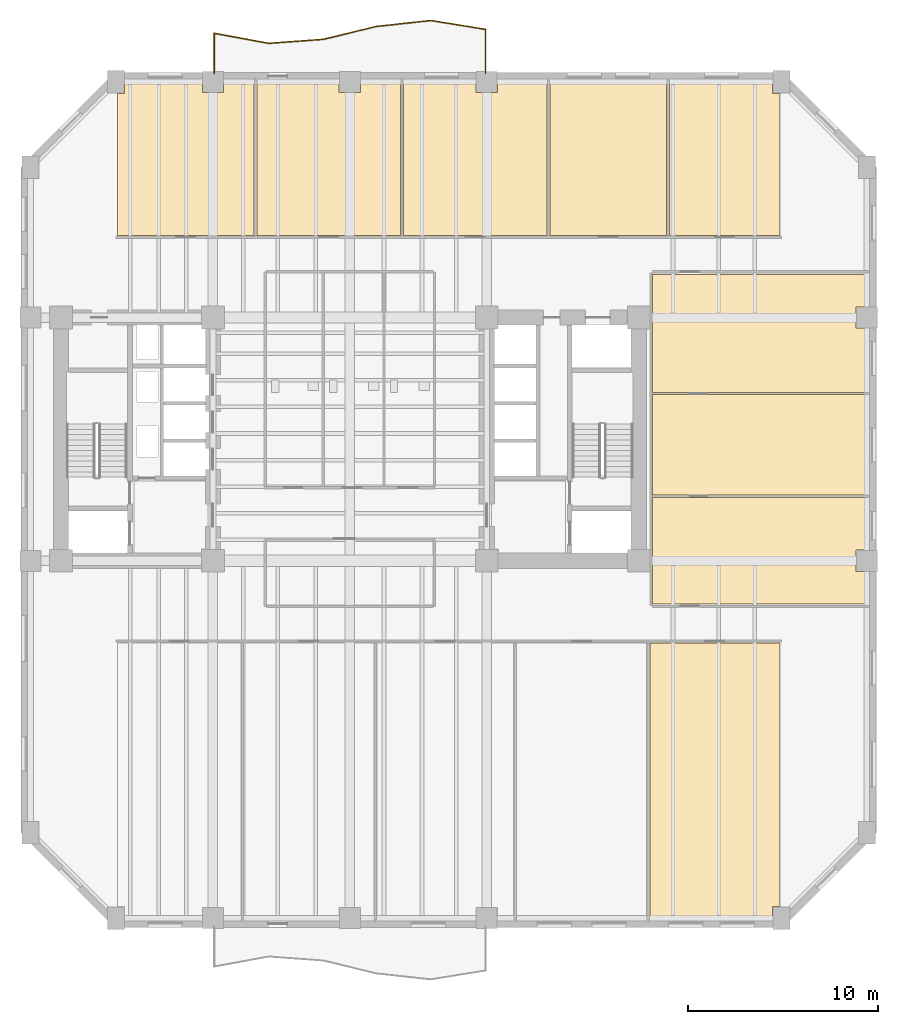
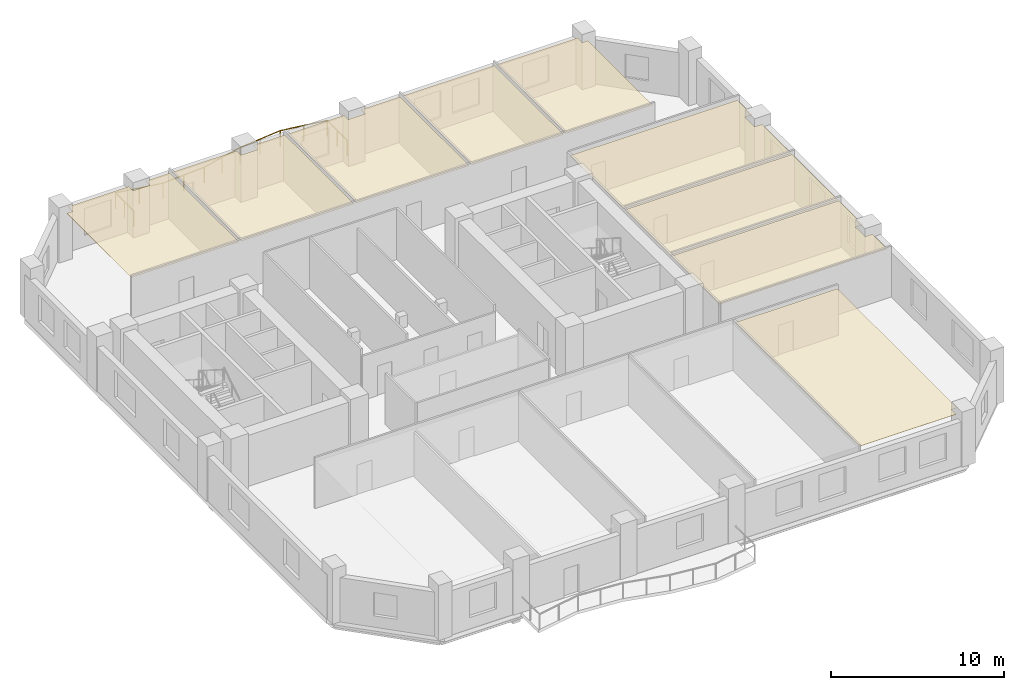
# One storey, part 8 of 9: 9 coverings, 1 railing.
"""IFC4 building model written with IfcOpenShell, lengths in metres."""

from ifc_helpers import new_model, si_unit, direction, frame, origin, origin_2d, place, context, subcontext, project, spatial, polyline, circle, outline, extrude, material, layer, layer_set, type_object, element, save


model = new_model("IFC4")

# Units and contexts
model_context = context("Model", 3, precision=1e-05, world=origin(), true_north=direction((0.0, 1.0)))
body_context = subcontext(model_context, "Body", "Model", "MODEL_VIEW")
ifc_project = project(units=[si_unit("LENGTHUNIT", "METRE"), si_unit("AREAUNIT", "SQUARE_METRE"), si_unit("VOLUMEUNIT", "CUBIC_METRE"), si_unit("PLANEANGLEUNIT", "RADIAN"), si_unit("MASSUNIT", "GRAM", prefix="KILO")], contexts=[model_context])

# Site, building, storey
site_placement = place(None, origin())
site = spatial("IfcSite", under=ifc_project, at=site_placement, CompositionType="ELEMENT")
building_placement = place(site_placement, origin())
building = spatial("IfcBuilding", under=site, at=building_placement, Name="Kranthara Brick Stack", CompositionType="ELEMENT")
storey_placement = place(building_placement, frame((0.0, 0.0, 59.39990234375)))
storey = spatial("IfcBuildingStorey", under=building, at=storey_placement, Name="L14", CompositionType="ELEMENT", Elevation=59.39990234375)

# Coverings
ifc_material_1 = material(Name="Perforated mineral-fibre acoustic ceiling tile", Category="other")
ifc_layer = layer(ifc_material_1, 0.02490234375)
ifc_layer_set = layer_set([ifc_layer], Name="Perforated mineral-fibre acoustic ceiling tile")
covering_type = type_object("IfcCoveringType", Name="COV-CEIL-ACOUSTIC", PredefinedType="CEILING", material=ifc_layer_set)
covering_1_placement = place(storey_placement, frame((0.0, 0.0, 3.330078125)))
element("IfcCovering", 1, at=covering_1_placement, inside=storey, type_object=covering_type, Name="L14 L14 Focus Study Room 5 Acoustic Ceiling", PredefinedType="CEILING", context=body_context, shape_type="SweptSolid", body=[
    extrude(outline(polyline([(43.780029296875, 2.070068359375), (43.780029296875, 16.47998046875), (50.6201171875, 16.47998046875), (50.6201171875, 2.610107421875), (50.239990234375, 2.610107421875), (50.239990234375, 2.070068359375), (43.780029296875, 2.070068359375)])), origin(), (0.0, 0.0, 1.0), 0.02490234375),
])
covering_2_placement = place(storey_placement, frame((0.0, 0.0, 3.330078125)))
element("IfcCovering", 2, at=covering_2_placement, inside=storey, type_object=covering_type, Name="L14 L14 Meeting Room 1 Acoustic Ceiling", PredefinedType="CEILING", context=body_context, shape_type="SweptSolid", body=[
    extrude(outline(polyline([(22.969970703125, 37.919921875), (15.780029296875, 37.919921875), (15.780029296875, 45.389892578125), (16.159912109375, 45.389892578125), (16.159912109375, 45.929931640625), (20.239990234375, 45.929931640625), (20.239990234375, 45.43994140625), (21.360107421875, 45.43994140625), (21.360107421875, 45.929931640625), (22.969970703125, 45.929931640625), (22.969970703125, 37.919921875)])), origin(), (0.0, 0.0, 1.0), 0.02490234375),
])
covering_3_placement = place(storey_placement, frame((0.0, 0.0, 3.330078125)))
element("IfcCovering", 3, at=covering_3_placement, inside=storey, type_object=covering_type, Name="L14 L14 Meeting Room 2 Acoustic Ceiling", PredefinedType="CEILING", context=body_context, shape_type="SweptSolid", body=[
    extrude(outline(polyline([(30.669921875, 45.929931640625), (30.669921875, 37.919921875), (23.1298828125, 37.919921875), (23.1298828125, 45.929931640625), (27.43994140625, 45.929931640625), (27.43994140625, 45.43994140625), (28.56005859375, 45.43994140625), (28.56005859375, 45.929931640625), (30.669921875, 45.929931640625)])), origin(), (0.0, 0.0, 1.0), 0.02490234375),
])
covering_4_placement = place(storey_placement, frame((0.0, 0.0, 3.330078125)))
element("IfcCovering", 4, at=covering_4_placement, inside=storey, type_object=covering_type, Name="L14 L14 Meeting Room 3 Acoustic Ceiling", PredefinedType="CEILING", context=body_context, shape_type="SweptSolid", body=[
    extrude(outline(polyline([(38.3701171875, 45.929931640625), (38.3701171875, 37.919921875), (30.830078125, 37.919921875), (30.830078125, 45.929931640625), (34.639892578125, 45.929931640625), (34.639892578125, 45.43994140625), (35.760009765625, 45.43994140625), (35.760009765625, 45.929931640625), (38.3701171875, 45.929931640625)])), origin(), (0.0, 0.0, 1.0), 0.02490234375),
])
covering_5_placement = place(storey_placement, frame((0.0, 0.0, 3.330078125)))
element("IfcCovering", 5, at=covering_5_placement, inside=storey, type_object=covering_type, Name="L14 L14 Boardroom 4 Acoustic Ceiling", PredefinedType="CEILING", context=body_context, shape_type="SweptSolid", body=[
    extrude(outline(polyline([(44.669921875, 37.919921875), (44.669921875, 45.929931640625), (38.530029296875, 45.929931640625), (38.530029296875, 37.919921875), (44.669921875, 37.919921875)])), origin(), (0.0, 0.0, 1.0), 0.02490234375),
])
covering_6_placement = place(storey_placement, frame((0.0, 0.0, 3.330078125)))
element("IfcCovering", 6, at=covering_6_placement, inside=storey, type_object=covering_type, Name="L14 L14 Staff Pantry 5 Acoustic Ceiling", PredefinedType="CEILING", context=body_context, shape_type="SweptSolid", body=[
    extrude(outline(polyline([(50.6201171875, 37.919921875), (44.830078125, 37.919921875), (44.830078125, 45.929931640625), (50.239990234375, 45.929931640625), (50.239990234375, 45.389892578125), (50.6201171875, 45.389892578125), (50.6201171875, 37.919921875)])), origin(), (0.0, 0.0, 1.0), 0.02490234375),
])
covering_7_placement = place(storey_placement, frame((0.0, 0.0, 3.330078125)))
element("IfcCovering", 7, at=covering_7_placement, inside=storey, type_object=covering_type, Name="L14 L14 East Client Office 1 Acoustic Ceiling", PredefinedType="CEILING", context=body_context, shape_type="SweptSolid", body=[
    extrude(outline(polyline([(55.1298828125, 18.5400390625), (43.919921875, 18.5400390625), (43.919921875, 24.139892578125), (55.1298828125, 24.139892578125), (55.1298828125, 21.360107421875), (54.639892578125, 21.360107421875), (54.639892578125, 20.239990234375), (55.1298828125, 20.239990234375), (55.1298828125, 18.5400390625)])), origin(), (0.0, 0.0, 1.0), 0.02490234375),
])
covering_8_placement = place(storey_placement, frame((0.0, 0.0, 3.330078125)))
element("IfcCovering", 8, at=covering_8_placement, inside=storey, type_object=covering_type, Name="L14 L14 East Client Office 2 Acoustic Ceiling", PredefinedType="CEILING", context=body_context, shape_type="SweptSolid", body=[
    extrude(outline(polyline([(55.1298828125, 24.260009765625), (55.1298828125, 29.5400390625), (43.919921875, 29.5400390625), (43.919921875, 24.260009765625), (55.1298828125, 24.260009765625)])), origin(), (0.0, 0.0, 1.0), 0.02490234375),
])
covering_9_placement = place(storey_placement, frame((0.0, 0.0, 3.330078125)))
element("IfcCovering", 9, at=covering_9_placement, inside=storey, type_object=covering_type, Name="L14 L14 East Client Office 3 Acoustic Ceiling", PredefinedType="CEILING", context=body_context, shape_type="SweptSolid", body=[
    extrude(outline(polyline([(55.1298828125, 29.659912109375), (43.919921875, 29.659912109375), (43.919921875, 35.860107421875), (55.1298828125, 35.860107421875), (55.1298828125, 34.159912109375), (54.639892578125, 34.159912109375), (54.639892578125, 33.0400390625), (55.1298828125, 33.0400390625), (55.1298828125, 29.659912109375)])), origin(), (0.0, 0.0, 1.0), 0.02490234375),
])

# Railing
ifc_material_2 = material(Name="Bronze anodised aluminium and laminated glass balustrade", Category="aluminium")
railing_type = type_object("IfcRailingType", Name="RL-BALC-1120", PredefinedType="BALUSTRADE", material=ifc_material_2)
railing_placement = place(storey_placement, frame((20.860107421875, 46.43994140625, 0.0)))
element("IfcRailing", 10, at=railing_placement, inside=storey, type_object=railing_type, Name="L14 North Rippling Balcony Balustrade", PredefinedType="BALUSTRADE", context=body_context, shape_type="SweptSolid", body=[
    extrude(circle(Radius=0.02392578125, at=origin_2d()), frame((0.0, 0.0, 1.09619140625), z_axis=(-0.000115380177, 0.999999993344, 0.0), x_axis=(-0.999999993344, -0.000115380177, 0.0)), (0.0, 0.0, 1.0), 2.115966796875),
    extrude(circle(Radius=0.02392578125, at=origin_2d()), frame((-0.000244140625, 2.115966796875, 1.09619140625), z_axis=(0.98341055959, -0.181393691419, 0.0), x_axis=(0.181393691419, 0.98341055959, 0.0)), (0.0, 0.0, 1.0), 2.9287109375),
    extrude(circle(Radius=0.02392578125, at=origin_2d()), frame((2.8798828125, 1.584716796875, 1.09619140625), z_axis=(0.997272135942, 0.07381251163, 0.0), x_axis=(-0.07381251163, 0.997272135942, 0.0)), (0.0, 0.0, 1.0), 2.887451171875),
    extrude(circle(Radius=0.02392578125, at=origin_2d()), frame((5.759521484375, 1.7978515625, 1.09619140625), z_axis=(0.971517452521, 0.236968013551, 0.0), x_axis=(-0.236968013551, 0.971517452521, 0.0)), (0.0, 0.0, 1.0), 2.849609375),
    extrude(circle(Radius=0.02392578125, at=origin_2d()), frame((8.528076171875, 2.47314453125, 1.09619140625), z_axis=(0.994075827008, 0.1086887766, 0.0), x_axis=(-0.1086887766, 0.994075827008, 0.0)), (0.0, 0.0, 1.0), 2.890869140625),
    extrude(circle(Radius=0.02392578125, at=origin_2d()), frame((11.40185546875, 2.787353515625, 1.09619140625), z_axis=(0.987051077772, -0.160406265056, 0.0), x_axis=(0.160406265056, 0.987051077772, 0.0)), (0.0, 0.0, 1.0), 2.916259765625),
    extrude(circle(Radius=0.02392578125, at=origin_2d()), frame((14.2802734375, 2.319580078125, 1.09619140625), z_axis=(-0.000210504153, -0.999999977844, 0.0), x_axis=(0.999999977844, -0.000210504153, 0.0)), (0.0, 0.0, 1.0), 2.319580078125),
    extrude(circle(Radius=0.02099609375, at=origin_2d()), origin(), (0.0, 0.0, 1.0), 1.072021484375),
    extrude(circle(Radius=0.02099609375, at=origin_2d()), frame((0.0, 1.05810546875, 0.0)), (0.0, 0.0, 1.0), 1.072021484375),
    extrude(circle(Radius=0.02099609375, at=origin_2d()), frame((-0.000244140625, 2.115966796875, 0.0)), (0.0, 0.0, 1.0), 1.072021484375),
    extrude(circle(Radius=0.02099609375, at=origin_2d()), frame((1.43994140625, 1.850341796875, 0.0)), (0.0, 0.0, 1.0), 1.072021484375),
    extrude(circle(Radius=0.02099609375, at=origin_2d()), frame((2.8798828125, 1.584716796875, 0.0)), (0.0, 0.0, 1.0), 1.072021484375),
    extrude(circle(Radius=0.02099609375, at=origin_2d()), frame((4.31982421875, 1.69140625, 0.0)), (0.0, 0.0, 1.0), 1.072021484375),
    extrude(circle(Radius=0.02099609375, at=origin_2d()), frame((5.759521484375, 1.7978515625, 0.0)), (0.0, 0.0, 1.0), 1.072021484375),
    extrude(circle(Radius=0.02099609375, at=origin_2d()), frame((7.143798828125, 2.135498046875, 0.0)), (0.0, 0.0, 1.0), 1.072021484375),
    extrude(circle(Radius=0.02099609375, at=origin_2d()), frame((8.528076171875, 2.47314453125, 0.0)), (0.0, 0.0, 1.0), 1.072021484375),
    extrude(circle(Radius=0.02099609375, at=origin_2d()), frame((9.96484375, 2.63037109375, 0.0)), (0.0, 0.0, 1.0), 1.072021484375),
    extrude(circle(Radius=0.02099609375, at=origin_2d()), frame((11.40185546875, 2.787353515625, 0.0)), (0.0, 0.0, 1.0), 1.072021484375),
    extrude(circle(Radius=0.02099609375, at=origin_2d()), frame((12.841064453125, 2.553466796875, 0.0)), (0.0, 0.0, 1.0), 1.072021484375),
    extrude(circle(Radius=0.02099609375, at=origin_2d()), frame((14.2802734375, 2.319580078125, 0.0)), (0.0, 0.0, 1.0), 1.072021484375),
    extrude(circle(Radius=0.02099609375, at=origin_2d()), frame((14.280029296875, 1.15966796875, 0.0)), (0.0, 0.0, 1.0), 1.072021484375),
    extrude(circle(Radius=0.02099609375, at=origin_2d()), frame((14.27978515625, 0.0, 0.0)), (0.0, 0.0, 1.0), 1.072021484375),
])

save(model, "model.ifc")
